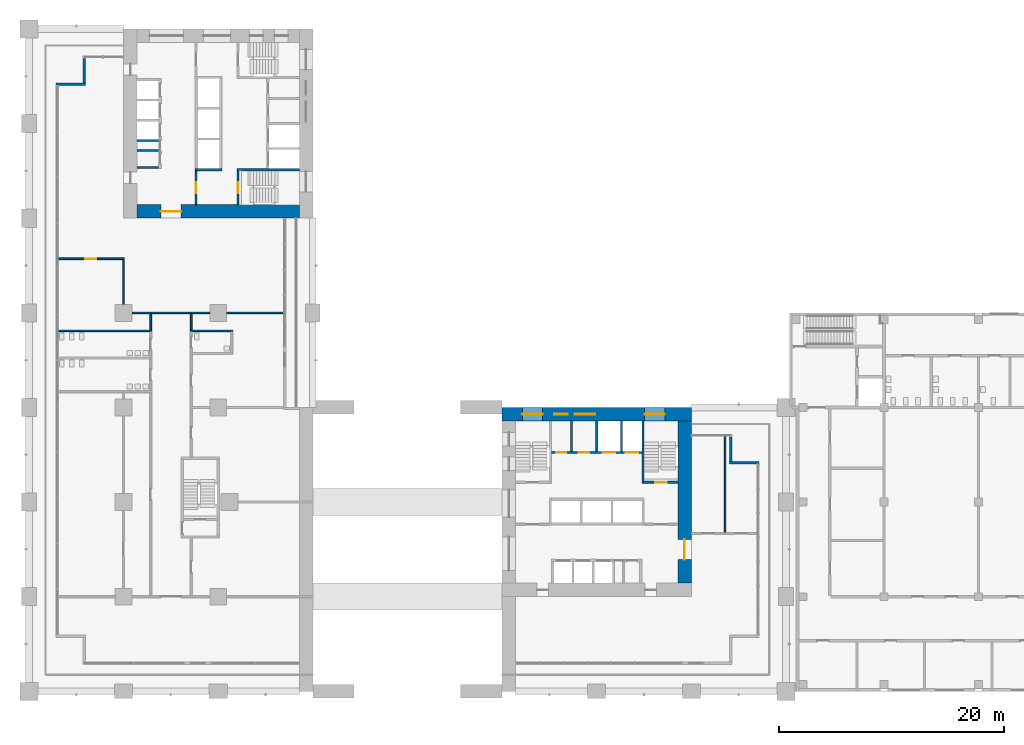
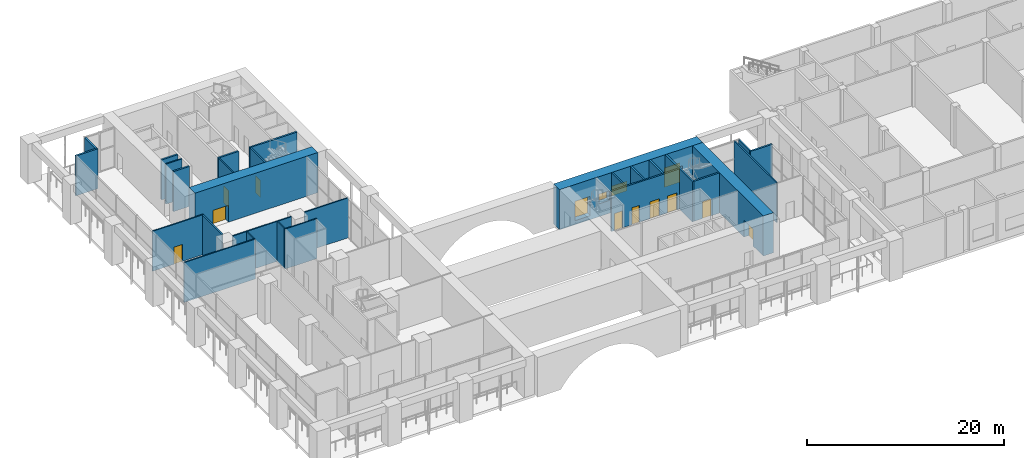
# One storey, part 12 of 26: 31 walls, 10 doors, 4 windows, 14 openings.
"""IFC4 building model written with IfcOpenShell, lengths in metres."""

from ifc_helpers import new_model, si_unit, direction, frame, frame_2d, origin, place, context, subcontext, project, spatial, rectangle, extrude, material, layer, layer_set, type_object, element, fill, save


model = new_model("IFC4")

# Units and contexts
model_context = context("Model", 3, precision=1e-05, world=origin(), true_north=direction((0.0, 1.0)))
body_context = subcontext(model_context, "Body", "Model", "MODEL_VIEW")
ifc_project = project(units=[si_unit("LENGTHUNIT", "METRE"), si_unit("AREAUNIT", "SQUARE_METRE"), si_unit("VOLUMEUNIT", "CUBIC_METRE"), si_unit("PLANEANGLEUNIT", "RADIAN"), si_unit("MASSUNIT", "GRAM", prefix="KILO")], contexts=[model_context])

# Site, building, storey
site_placement = place(None, origin())
site = spatial("IfcSite", under=ifc_project, at=site_placement, CompositionType="ELEMENT")
building_placement = place(site_placement, origin())
building = spatial("IfcBuilding", under=site, at=building_placement, Name="Vermilion Gate Residences", CompositionType="ELEMENT")
storey_placement = place(building_placement, frame((0.0, 0.0, 9.0)))
storey = spatial("IfcBuildingStorey", under=building, at=storey_placement, Name="L01", CompositionType="ELEMENT", Elevation=9.0)

# Walls
ifc_material_1 = material(Name="Masonry blockwork", Category="masonry")
ifc_layer_1 = layer(ifc_material_1, 0.14990234375)
ifc_layer_set_1 = layer_set([ifc_layer_1], Name="BLOCKWORK PARTITION 150 EI 120")
wall_type_1 = type_object("IfcWallType", Name="BLOCKWORK PARTITION 150 EI 120", PredefinedType="PARTITIONING", material=ifc_layer_set_1)
wall_1_placement = place(storey_placement, frame((48.16259765625, 21.300048828125, 0.0), z_axis=(0.0, 0.0, 1.0), x_axis=(0.0, 1.0, 0.0)))
element("IfcWall", 1, at=wall_1_placement, inside=storey, type_object=wall_type_1, Name="Core room partition A01-NR-P0", PredefinedType="PARTITIONING", context=body_context, shape_type="SweptSolid", body=[
    extrude(rectangle(XDim=2.699951171875, YDim=0.14990234375, at=frame_2d((1.35009765625, 0.0))), origin(), (0.0, 0.0, 1.0), 4.97998046875),
])
wall_2_placement = place(storey_placement, frame((9.60009765625, 48.007568359375, 0.0), z_axis=(0.0, 0.0, 1.0), x_axis=(1.0, 0.0, 0.0)))
element("IfcWall", 2, at=wall_2_placement, inside=storey, type_object=wall_type_1, Name="Core room partition B01-SR-P0", PredefinedType="PARTITIONING", context=body_context, shape_type="SweptSolid", body=[
    extrude(rectangle(XDim=1.89990234375, YDim=0.14990234375, at=frame_2d((0.949951171875, 0.0))), origin(), (0.0, 0.0, 1.0), 4.97998046875),
])

# Wall, opening, door
wall_3_placement = place(storey_placement, frame((14.824951171875, 46.199951171875, 0.0), z_axis=(0.0, 0.0, 1.0), x_axis=(0.0, -1.0, 0.0)))
wall_3 = element("IfcWall", 3, at=wall_3_placement, inside=storey, type_object=wall_type_1, Name="Core room partition B01-VE-S", PredefinedType="PARTITIONING", context=body_context, shape_type="SweptSolid", body=[
    extrude(rectangle(XDim=3.0, YDim=0.14990234375, at=frame_2d((1.5, 0.0))), origin(), (0.0, 0.0, 1.0), 4.97998046875),
])
opening_1_placement = place(wall_3_placement, frame((1.0, 0.0, 0.0)))
opening_1 = element("IfcOpeningElement", 4, at=opening_1_placement, cuts=wall_3, Name="Opening DK01115", PredefinedType="OPENING", context=body_context, shape_type="SweptSolid", body=[
    extrude(rectangle(XDim=1.0, YDim=2.10009765625, at=frame_2d((0.5, 1.050048828125))), frame((0.0, 0.0849609375, 0.0), z_axis=(0.0, -1.0, 0.0), x_axis=(1.0, 0.0, 0.0)), (0.0, 0.0, 1.0), 0.169921875),
])
ifc_material_2 = material(Name="Steel", Category="steel")
door_type_1 = type_object("IfcDoorType", Name="FIRE DOOR FD60 1000 X 2100", OperationType="SINGLE_SWING_LEFT", PredefinedType="DOOR", material=ifc_material_2)
door_1_placement = place(opening_1_placement, frame((1.0, 0.0, 0.0), z_axis=(0.0, 0.0, 1.0), x_axis=(-1.0, 0.0, 0.0)))
door_1 = element("IfcDoor", 5, at=door_1_placement, inside=storey, type_object=door_type_1, Name="Stair vestibule door B01", OperationType="SINGLE_SWING_LEFT", OverallHeight=2.10009765625, OverallWidth=1.0, PredefinedType="DOOR", context=body_context, shape_type="SweptSolid", body=[
    extrude(rectangle(XDim=1.0, YDim=2.10009765625, at=frame_2d((0.5, 1.050048828125))), frame((0.0, 0.02490234375, 0.0), z_axis=(0.0, -1.0, 0.0), x_axis=(1.0, 0.0, 0.0)), (0.0, 0.0, 1.0), 0.050048828125),
])
fill(opening_1, door_1)

# Walls
ifc_material_3 = material(Name="Insulated steel stud wall with terracotta rainscreen", Category="masonry")
ifc_layer_2 = layer(ifc_material_3, 0.199951171875)
ifc_layer_set_2 = layer_set([ifc_layer_2], Name="EXTERNAL WALL 200 TERRACOTTA RAINSCREEN")
wall_type_2 = type_object("IfcWallType", Name="EXTERNAL WALL 200 TERRACOTTA RAINSCREEN", PredefinedType="SOLIDWALL", material=ifc_layer_set_2)
wall_4_placement = place(storey_placement, frame((4.89990234375, 56.199951171875, 0.0), z_axis=(0.0, 0.0, 1.0), x_axis=(0.0, -1.0, 0.0)))
element("IfcWall", 6, at=wall_4_placement, inside=storey, type_object=wall_type_2, Name="External wall", PredefinedType="SOLIDWALL", context=body_context, shape_type="SweptSolid", body=[
    extrude(rectangle(XDim=2.199951171875, YDim=0.199951171875, at=frame_2d((1.10009765625, 0.0))), origin(), (0.0, 0.0, 1.0), 4.949951171875),
])
for number, where, z_axis, x_axis, name in (
    (7, (5.0, 53.89990234375, 0.0), (0.0, 0.0, 1.0), (-1.0, 0.0, 0.0), "External wall"),
    (8, (64.800048828125, 20.300048828125, 0.0), (0.0, 0.0, 1.0), (-1.0, 0.0, 0.0), "External wall"),
):
    element("IfcWall", number, at=place(storey_placement, frame(where, z_axis=z_axis, x_axis=x_axis)), inside=storey, type_object=wall_type_2, Name=name, PredefinedType="SOLIDWALL", context=body_context, shape_type="SweptSolid", body=[
        extrude(rectangle(XDim=2.60009765625, YDim=0.199951171875, at=frame_2d((1.300048828125, 0.0))), origin(), (0.0, 0.0, 1.0), 4.949951171875),
    ])
wall_5_placement = place(storey_placement, frame((62.300048828125, 20.39990234375, 0.0), z_axis=(0.0, 0.0, 1.0), x_axis=(0.0, 1.0, 0.0)))
element("IfcWall", 9, at=wall_5_placement, inside=storey, type_object=wall_type_2, Name="External wall", PredefinedType="SOLIDWALL", context=body_context, shape_type="SweptSolid", body=[
    extrude(rectangle(XDim=2.2001953125, YDim=0.199951171875, at=frame_2d((1.10009765625, 0.0))), origin(), (0.0, 0.0, 1.0), 4.949951171875),
])
ifc_material_4 = material(Name="Gypsum board on steel studs", Category="steel")
ifc_layer_3 = layer(ifc_material_4, 0.14990234375)
ifc_layer_set_3 = layer_set([ifc_layer_3], Name="PARTITION 150 EI 60 (AMENITY)")
wall_type_3 = type_object("IfcWallType", Name="PARTITION 150 EI 60 (AMENITY)", PredefinedType="PARTITIONING", material=ifc_layer_set_3)
wall_6_placement = place(storey_placement, frame((2.5, 32.0, 0.0), z_axis=(0.0, 0.0, 1.0), x_axis=(1.0, 0.0, 0.0)))
element("IfcWall", 10, at=wall_6_placement, inside=storey, type_object=wall_type_3, Name="Partition 4", PredefinedType="PARTITIONING", context=body_context, shape_type="SweptSolid", body=[
    extrude(rectangle(XDim=8.375, YDim=0.14990234375, at=frame_2d((4.1875, 0.0))), origin(), (0.0, 0.0, 1.0), 4.949951171875),
])

# Wall, opening, door
wall_7_placement = place(storey_placement, frame((2.5, 38.39990234375, 0.0), z_axis=(0.0, 0.0, 1.0), x_axis=(1.0, 0.0, 0.0)))
wall_7 = element("IfcWall", 11, at=wall_7_placement, inside=storey, type_object=wall_type_3, Name="Partition 5", PredefinedType="PARTITIONING", context=body_context, shape_type="SweptSolid", body=[
    extrude(rectangle(XDim=5.97509765625, YDim=0.14990234375, at=frame_2d((2.987548828125, 0.0))), origin(), (0.0, 0.0, 1.0), 4.949951171875),
])
opening_2_placement = place(wall_7_placement, frame((2.487548828125, 0.0, 0.0)))
opening_2 = element("IfcOpeningElement", 12, at=opening_2_placement, cuts=wall_7, Name="Opening DM01010", PredefinedType="OPENING", context=body_context, shape_type="SweptSolid", body=[
    extrude(rectangle(XDim=1.0, YDim=2.10009765625, at=frame_2d((0.5, 1.050048828125))), frame((0.0, 0.0849609375, 0.0), z_axis=(0.0, -1.0, 0.0), x_axis=(1.0, 0.0, 0.0)), (0.0, 0.0, 1.0), 0.169921875),
])
ifc_material_5 = material(Name="Steel", Category="steel")
door_type_2 = type_object("IfcDoorType", Name="DOOR 1000 X 2100 FD30 (AMENITY)", OperationType="SINGLE_SWING_LEFT", PredefinedType="DOOR", material=ifc_material_5)
door_2_placement = place(opening_2_placement, frame((1.0, 0.0, 0.0), z_axis=(0.0, 0.0, 1.0), x_axis=(-1.0, 0.0, 0.0)))
door_2 = element("IfcDoor", 13, at=door_2_placement, inside=storey, type_object=door_type_2, Name="Door L01 10", OperationType="SINGLE_SWING_LEFT", OverallHeight=2.10009765625, OverallWidth=1.0, PredefinedType="DOOR", context=body_context, shape_type="SweptSolid", body=[
    extrude(rectangle(XDim=1.0, YDim=2.10009765625, at=frame_2d((0.5, 1.050048828125))), frame((0.0, 0.02490234375, 0.0), z_axis=(0.0, -1.0, 0.0), x_axis=(1.0, 0.0, 0.0)), (0.0, 0.0, 1.0), 0.050048828125),
])
fill(opening_2, door_2)

# Walls
wall_8_placement = place(storey_placement, frame((8.39990234375, 34.35009765625, 0.0), z_axis=(0.0, 0.0, 1.0), x_axis=(0.0, 1.0, 0.0)))
element("IfcWall", 14, at=wall_8_placement, inside=storey, type_object=wall_type_3, Name="Partition 11", PredefinedType="PARTITIONING", context=body_context, shape_type="SweptSolid", body=[
    extrude(rectangle(XDim=3.974853515625, YDim=0.14990234375, at=frame_2d((1.9873046875, 0.0))), origin(), (0.0, 0.0, 1.0), 4.949951171875),
])
wall_9_placement = place(storey_placement, frame((9.14990234375, 33.60009765625, 0.0), z_axis=(0.0, 0.0, 1.0), x_axis=(1.0, 0.0, 0.0)))
element("IfcWall", 15, at=wall_9_placement, inside=storey, type_object=wall_type_3, Name="Partition 12", PredefinedType="PARTITIONING", context=body_context, shape_type="SweptSolid", body=[
    extrude(rectangle(XDim=1.650146484375, YDim=0.14990234375, at=frame_2d((0.8251953125, 0.0))), origin(), (0.0, 0.0, 1.0), 4.949951171875),
])
wall_10_placement = place(storey_placement, frame((10.800048828125, 32.074951171875, 0.0), z_axis=(0.0, 0.0, 1.0), x_axis=(0.0, 1.0, 0.0)))
element("IfcWall", 16, at=wall_10_placement, inside=storey, type_object=wall_type_3, Name="Partition 17", PredefinedType="PARTITIONING", context=body_context, shape_type="SweptSolid", body=[
    extrude(rectangle(XDim=1.449951171875, YDim=0.14990234375, at=frame_2d((0.72509765625, 0.0))), origin(), (0.0, 0.0, 1.0), 4.949951171875),
])
wall_11_placement = place(storey_placement, frame((10.800048828125, 33.60009765625, 0.0), z_axis=(0.0, 0.0, 1.0), x_axis=(1.0, 0.0, 0.0)))
element("IfcWall", 17, at=wall_11_placement, inside=storey, type_object=wall_type_3, Name="Partition 18", PredefinedType="PARTITIONING", context=body_context, shape_type="SweptSolid", body=[
    extrude(rectangle(XDim=3.599853515625, YDim=0.14990234375, at=frame_2d((1.7998046875, 0.0))), origin(), (0.0, 0.0, 1.0), 4.949951171875),
])
wall_12_placement = place(storey_placement, frame((14.39990234375, 32.074951171875, 0.0), z_axis=(0.0, 0.0, 1.0), x_axis=(0.0, 1.0, 0.0)))
element("IfcWall", 18, at=wall_12_placement, inside=storey, type_object=wall_type_3, Name="Partition 28", PredefinedType="PARTITIONING", context=body_context, shape_type="SweptSolid", body=[
    extrude(rectangle(XDim=1.449951171875, YDim=0.14990234375, at=frame_2d((0.72509765625, 0.0))), origin(), (0.0, 0.0, 1.0), 4.949951171875),
])
wall_13_placement = place(storey_placement, frame((14.324951171875, 32.0, 0.0), z_axis=(0.0, 0.0, 1.0), x_axis=(1.0, 0.0, 0.0)))
element("IfcWall", 19, at=wall_13_placement, inside=storey, type_object=wall_type_3, Name="Partition 29", PredefinedType="PARTITIONING", context=body_context, shape_type="SweptSolid", body=[
    extrude(rectangle(XDim=3.75, YDim=0.14990234375, at=frame_2d((1.875, 0.0))), origin(), (0.0, 0.0, 1.0), 4.949951171875),
])
wall_14_placement = place(storey_placement, frame((14.39990234375, 33.60009765625, 0.0), z_axis=(0.0, 0.0, 1.0), x_axis=(1.0, 0.0, 0.0)))
element("IfcWall", 20, at=wall_14_placement, inside=storey, type_object=wall_type_3, Name="Partition 30", PredefinedType="PARTITIONING", context=body_context, shape_type="SweptSolid", body=[
    extrude(rectangle(XDim=1.650146484375, YDim=0.14990234375, at=frame_2d((0.8251953125, 0.0))), origin(), (0.0, 0.0, 1.0), 4.949951171875),
])
wall_15_placement = place(storey_placement, frame((17.550048828125, 33.60009765625, 0.0), z_axis=(0.0, 0.0, 1.0), x_axis=(1.0, 0.0, 0.0)))
element("IfcWall", 21, at=wall_15_placement, inside=storey, type_object=wall_type_3, Name="Partition 31", PredefinedType="PARTITIONING", context=body_context, shape_type="SweptSolid", body=[
    extrude(rectangle(XDim=5.14990234375, YDim=0.14990234375, at=frame_2d((2.574951171875, 0.0))), origin(), (0.0, 0.0, 1.0), 4.949951171875),
])
wall_16_placement = place(storey_placement, frame((61.800048828125, 14.074951171875, 0.0), z_axis=(0.0, 0.0, 1.0), x_axis=(0.0, 1.0, 0.0)))
element("IfcWall", 22, at=wall_16_placement, inside=storey, type_object=wall_type_3, Name="Partition 35", PredefinedType="PARTITIONING", context=body_context, shape_type="SweptSolid", body=[
    extrude(rectangle(XDim=8.625, YDim=0.14990234375, at=frame_2d((4.3125, 0.0))), origin(), (0.0, 0.0, 1.0), 4.949951171875),
])
ifc_material_6 = material(Name="Concrete C60", Category="concrete")
ifc_layer_4 = layer(ifc_material_6, 0.199951171875)
ifc_layer_set_4 = layer_set([ifc_layer_4], Name="RC CORE INTERNAL WALL 200 C60")
wall_type_4 = type_object("IfcWallType", Name="RC CORE INTERNAL WALL 200 C60", PredefinedType="SHEAR", material=ifc_layer_set_4)
for number, where, z_axis, x_axis, name in (
    (23, (50.39990234375, 21.300048828125, 0.0), (0.0, 0.0, 1.0), (0.0, 1.0, 0.0), "Core internal wall A01-FF-D0"),
    (24, (52.60009765625, 21.300048828125, 0.0), (0.0, 0.0, 1.0), (0.0, 1.0, 0.0), "Core internal wall A01-FF-D1"),
):
    element("IfcWall", number, at=place(storey_placement, frame(where, z_axis=z_axis, x_axis=x_axis)), inside=storey, type_object=wall_type_4, Name=name, PredefinedType="SHEAR", context=body_context, shape_type="SweptSolid", body=[
        extrude(rectangle(XDim=2.699951171875, YDim=0.199951171875, at=frame_2d((1.35009765625, 0.0))), origin(), (0.0, 0.0, 1.0), 4.97998046875),
    ])

# Wall, openings, doors
wall_17_placement = place(storey_placement, frame((46.39990234375, 21.199951171875, 0.0), z_axis=(0.0, 0.0, 1.0), x_axis=(1.0, 0.0, 0.0)))
wall_17 = element("IfcWall", 25, at=wall_17_placement, inside=storey, type_object=wall_type_4, Name="Core internal wall A01-FF-F", PredefinedType="SHEAR", context=body_context, shape_type="SweptSolid", body=[
    extrude(rectangle(XDim=8.0, YDim=0.199951171875, at=frame_2d((4.0, 0.0))), origin(), (0.0, 0.0, 1.0), 4.97998046875),
])
opening_3_placement = place(wall_17_placement, frame((0.393798828125, 0.0, 0.0)))
opening_3 = element("IfcOpeningElement", 26, at=opening_3_placement, cuts=wall_17, Name="Opening DK01009", PredefinedType="OPENING", context=body_context, shape_type="SweptSolid", body=[
    extrude(rectangle(XDim=0.89990234375, YDim=2.10009765625, at=frame_2d((0.449951171875, 1.050048828125))), frame((0.0, 0.10986328125, 0.0), z_axis=(0.0, -1.0, 0.0), x_axis=(1.0, 0.0, 0.0)), (0.0, 0.0, 1.0), 0.219970703125),
])
opening_4_placement = place(wall_17_placement, frame((2.418701171875, 0.0, 0.0)))
opening_4 = element("IfcOpeningElement", 27, at=opening_4_placement, cuts=wall_17, Name="Opening DK01010", PredefinedType="OPENING", context=body_context, shape_type="SweptSolid", body=[
    extrude(rectangle(XDim=0.89990234375, YDim=2.10009765625, at=frame_2d((0.449951171875, 1.050048828125))), frame((0.0, 0.10986328125, 0.0), z_axis=(0.0, -1.0, 0.0), x_axis=(1.0, 0.0, 0.0)), (0.0, 0.0, 1.0), 0.219970703125),
])
opening_5_placement = place(wall_17_placement, frame((4.550048828125, 0.0, 0.0)))
opening_5 = element("IfcOpeningElement", 28, at=opening_5_placement, cuts=wall_17, Name="Opening LD", PredefinedType="OPENING", context=body_context, shape_type="SweptSolid", body=[
    extrude(rectangle(XDim=1.10009765625, YDim=2.10009765625, at=frame_2d((0.550048828125, 1.050048828125))), frame((0.0, 0.10986328125, 0.0), z_axis=(0.0, -1.0, 0.0), x_axis=(1.0, 0.0, 0.0)), (0.0, 0.0, 1.0), 0.219970703125),
])
opening_6_placement = place(wall_17_placement, frame((6.60009765625, 0.0, 0.0)))
opening_6 = element("IfcOpeningElement", 29, at=opening_6_placement, cuts=wall_17, Name="Opening LD", PredefinedType="OPENING", context=body_context, shape_type="SweptSolid", body=[
    extrude(rectangle(XDim=1.10009765625, YDim=2.10009765625, at=frame_2d((0.550048828125, 1.050048828125))), frame((0.0, 0.10986328125, 0.0), z_axis=(0.0, -1.0, 0.0), x_axis=(1.0, 0.0, 0.0)), (0.0, 0.0, 1.0), 0.219970703125),
])
ifc_material_7 = material(Name="Stainless steel", Category="steel")
door_type_3 = type_object("IfcDoorType", Name="LIFT LANDING DOOR E60 1100 X 2100", OperationType="DOUBLE_DOOR_SLIDING", PredefinedType="DOOR", material=ifc_material_7)
door_3_placement = place(opening_5_placement, origin())
door_3 = element("IfcDoor", 30, at=door_3_placement, inside=storey, type_object=door_type_3, Name="Lift landing door LFA1", OperationType="DOUBLE_DOOR_SLIDING", OverallHeight=2.10009765625, OverallWidth=1.10009765625, PredefinedType="DOOR", context=body_context, shape_type="SweptSolid", body=[
    extrude(rectangle(XDim=1.10009765625, YDim=2.10009765625, at=frame_2d((0.550048828125, 1.050048828125))), frame((0.0, 0.02490234375, 0.0), z_axis=(0.0, -1.0, 0.0), x_axis=(1.0, 0.0, 0.0)), (0.0, 0.0, 1.0), 0.050048828125),
])
fill(opening_5, door_3)
door_4_placement = place(opening_6_placement, origin())
door_4 = element("IfcDoor", 31, at=door_4_placement, inside=storey, type_object=door_type_3, Name="Lift landing door LCA1", OperationType="DOUBLE_DOOR_SLIDING", OverallHeight=2.10009765625, OverallWidth=1.10009765625, PredefinedType="DOOR", context=body_context, shape_type="SweptSolid", body=[
    extrude(rectangle(XDim=1.10009765625, YDim=2.10009765625, at=frame_2d((0.550048828125, 1.050048828125))), frame((0.0, 0.02490234375, 0.0), z_axis=(0.0, -1.0, 0.0), x_axis=(1.0, 0.0, 0.0)), (0.0, 0.0, 1.0), 0.050048828125),
])
fill(opening_6, door_4)
ifc_material_8 = material(Name="Steel", Category="steel")
door_type_4 = type_object("IfcDoorType", Name="SERVICE ROOM DOOR FD60 900 X 2100", OperationType="SINGLE_SWING_LEFT", PredefinedType="DOOR", material=ifc_material_8)
door_5_placement = place(opening_3_placement, origin())
door_5 = element("IfcDoor", 32, at=door_5_placement, inside=storey, type_object=door_type_4, Name="Parcel room A01", OperationType="SINGLE_SWING_LEFT", OverallHeight=2.10009765625, OverallWidth=0.89990234375, PredefinedType="DOOR", context=body_context, shape_type="SweptSolid", body=[
    extrude(rectangle(XDim=0.89990234375, YDim=2.10009765625, at=frame_2d((0.449951171875, 1.050048828125))), frame((0.0, 0.02490234375, 0.0), z_axis=(0.0, -1.0, 0.0), x_axis=(1.0, 0.0, 0.0)), (0.0, 0.0, 1.0), 0.050048828125),
])
fill(opening_3, door_5)
door_6_placement = place(opening_4_placement, frame((0.89990234375, 0.0, 0.0), z_axis=(0.0, 0.0, 1.0), x_axis=(-1.0, 0.0, 0.0)))
door_6 = element("IfcDoor", 33, at=door_6_placement, inside=storey, type_object=door_type_4, Name="Electrical room A01", OperationType="SINGLE_SWING_RIGHT", OverallHeight=2.10009765625, OverallWidth=0.89990234375, PredefinedType="DOOR", context=body_context, shape_type="SweptSolid", body=[
    extrude(rectangle(XDim=0.89990234375, YDim=2.10009765625, at=frame_2d((0.449951171875, 1.050048828125))), frame((0.0, 0.02490234375, 0.0), z_axis=(0.0, -1.0, 0.0), x_axis=(1.0, 0.0, 0.0)), (0.0, 0.0, 1.0), 0.050048828125),
])
fill(opening_4, door_6)

# Wall
wall_18_placement = place(storey_placement, frame((54.5, 18.449951171875, 0.0), z_axis=(0.0, 0.0, 1.0), x_axis=(0.0, 1.0, 0.0)))
element("IfcWall", 34, at=wall_18_placement, inside=storey, type_object=wall_type_4, Name="Core internal wall A01-EDIV2", PredefinedType="SHEAR", context=body_context, shape_type="SweptSolid", body=[
    extrude(rectangle(XDim=5.550048828125, YDim=0.199951171875, at=frame_2d((2.77490234375, 0.0))), origin(), (0.0, 0.0, 1.0), 4.97998046875),
])

# Wall, opening, door
wall_19_placement = place(storey_placement, frame((54.60009765625, 18.550048828125, 0.0), z_axis=(0.0, 0.0, 1.0), x_axis=(1.0, 0.0, 0.0)))
wall_19 = element("IfcWall", 35, at=wall_19_placement, inside=storey, type_object=wall_type_4, Name="Core internal wall A01-STE-S", PredefinedType="SHEAR", context=body_context, shape_type="SweptSolid", body=[
    extrude(rectangle(XDim=3.0, YDim=0.199951171875, at=frame_2d((1.5, 0.0))), origin(), (0.0, 0.0, 1.0), 4.97998046875),
])
opening_7_placement = place(wall_19_placement, frame((1.0, 0.0, 0.0)))
opening_7 = element("IfcOpeningElement", 36, at=opening_7_placement, cuts=wall_19, Name="Opening DK01016", PredefinedType="OPENING", context=body_context, shape_type="SweptSolid", body=[
    extrude(rectangle(XDim=1.0, YDim=2.10009765625, at=frame_2d((0.5, 1.050048828125))), frame((0.0, 0.10986328125, 0.0), z_axis=(0.0, -1.0, 0.0), x_axis=(1.0, 0.0, 0.0)), (0.0, 0.0, 1.0), 0.219970703125),
])
door_7_placement = place(opening_7_placement, origin())
door_7 = element("IfcDoor", 37, at=door_7_placement, inside=storey, type_object=door_type_1, Name="Stair door A01", OperationType="SINGLE_SWING_LEFT", OverallHeight=2.10009765625, OverallWidth=1.0, PredefinedType="DOOR", context=body_context, shape_type="SweptSolid", body=[
    extrude(rectangle(XDim=1.0, YDim=2.10009765625, at=frame_2d((0.5, 1.050048828125))), frame((0.0, 0.02490234375, 0.0), z_axis=(0.0, -1.0, 0.0), x_axis=(1.0, 0.0, 0.0)), (0.0, 0.0, 1.0), 0.050048828125),
])
fill(opening_7, door_7)

# Walls
for number, where, z_axis, x_axis, name in (
    (38, (9.60009765625, 48.89990234375, 0.0), (0.0, 0.0, 1.0), (1.0, 0.0, 0.0), "Core internal wall B01-LR-D3"),
    (39, (9.60009765625, 46.5, 0.0), (0.0, 0.0, 1.0), (1.0, 0.0, 0.0), "Core internal wall B01-LR-DE"),
):
    element("IfcWall", number, at=place(storey_placement, frame(where, z_axis=z_axis, x_axis=x_axis)), inside=storey, type_object=wall_type_4, Name=name, PredefinedType="SHEAR", context=body_context, shape_type="SweptSolid", body=[
        extrude(rectangle(XDim=1.89990234375, YDim=0.199951171875, at=frame_2d((0.949951171875, 0.0))), origin(), (0.0, 0.0, 1.0), 4.97998046875),
    ])
wall_20_placement = place(storey_placement, frame((14.75, 46.300048828125, 0.0), z_axis=(0.0, 0.0, 1.0), x_axis=(1.0, 0.0, 0.0)))
element("IfcWall", 40, at=wall_20_placement, inside=storey, type_object=wall_type_4, Name="Core internal wall B01-EDIV1", PredefinedType="SHEAR", context=body_context, shape_type="SweptSolid", body=[
    extrude(rectangle(XDim=2.39990234375, YDim=0.199951171875, at=frame_2d((1.199951171875, 0.0))), origin(), (0.0, 0.0, 1.0), 4.97998046875),
])
wall_21_placement = place(storey_placement, frame((18.449951171875, 46.300048828125, 0.0), z_axis=(0.0, 0.0, 1.0), x_axis=(1.0, 0.0, 0.0)))
element("IfcWall", 41, at=wall_21_placement, inside=storey, type_object=wall_type_4, Name="Core internal wall B01-EDIV2", PredefinedType="SHEAR", context=body_context, shape_type="SweptSolid", body=[
    extrude(rectangle(XDim=5.550048828125, YDim=0.199951171875, at=frame_2d((2.77490234375, 0.0))), origin(), (0.0, 0.0, 1.0), 4.97998046875),
])

# Wall, opening, door
wall_22_placement = place(storey_placement, frame((18.550048828125, 46.199951171875, 0.0), z_axis=(0.0, 0.0, 1.0), x_axis=(0.0, -1.0, 0.0)))
wall_22 = element("IfcWall", 42, at=wall_22_placement, inside=storey, type_object=wall_type_4, Name="Core internal wall B01-STE-S", PredefinedType="SHEAR", context=body_context, shape_type="SweptSolid", body=[
    extrude(rectangle(XDim=3.0, YDim=0.199951171875, at=frame_2d((1.5, 0.0))), origin(), (0.0, 0.0, 1.0), 4.97998046875),
])
opening_8_placement = place(wall_22_placement, frame((1.0, 0.0, 0.0)))
opening_8 = element("IfcOpeningElement", 43, at=opening_8_placement, cuts=wall_22, Name="Opening DK01116", PredefinedType="OPENING", context=body_context, shape_type="SweptSolid", body=[
    extrude(rectangle(XDim=1.0, YDim=2.10009765625, at=frame_2d((0.5, 1.050048828125))), frame((0.0, 0.10986328125, 0.0), z_axis=(0.0, -1.0, 0.0), x_axis=(1.0, 0.0, 0.0)), (0.0, 0.0, 1.0), 0.219970703125),
])
door_8_placement = place(opening_8_placement, origin())
door_8 = element("IfcDoor", 44, at=door_8_placement, inside=storey, type_object=door_type_1, Name="Stair door B01", OperationType="SINGLE_SWING_LEFT", OverallHeight=2.10009765625, OverallWidth=1.0, PredefinedType="DOOR", context=body_context, shape_type="SweptSolid", body=[
    extrude(rectangle(XDim=1.0, YDim=2.10009765625, at=frame_2d((0.5, 1.050048828125))), frame((0.0, 0.02490234375, 0.0), z_axis=(0.0, -1.0, 0.0), x_axis=(1.0, 0.0, 0.0)), (0.0, 0.0, 1.0), 0.050048828125),
])
fill(opening_8, door_8)

ifc_material_9 = material(Name="Concrete C80", Category="concrete")
ifc_layer_5 = layer(ifc_material_9, 1.199951171875)
ifc_layer_set_5 = layer_set([ifc_layer_5], Name="RC CORE WALL 1200 C80")
wall_type_5 = type_object("IfcWallType", Name="RC CORE WALL 1200 C80", PredefinedType="SHEAR", material=ifc_layer_set_5)
wall_23_placement = place(storey_placement, frame((58.199951171875, 9.60009765625, 0.0), z_axis=(0.0, 0.0, 1.0), x_axis=(0.0, 1.0, 0.0)))
wall_23 = element("IfcWall", 45, at=wall_23_placement, inside=storey, type_object=wall_type_5, Name="Core wall A01-OUT-BK", PredefinedType="SHEAR", context=body_context, shape_type="SweptSolid", body=[
    extrude(rectangle(XDim=14.39990234375, YDim=1.199951171875, at=frame_2d((7.199951171875, 0.0))), origin(), (0.0, 0.0, 1.0), 4.97998046875),
])
opening_9_placement = place(wall_23_placement, frame((2.10009765625, 0.0, 0.0)))
opening_9 = element("IfcOpeningElement", 46, at=opening_9_placement, cuts=wall_23, Name="Opening DK01003", PredefinedType="OPENING", context=body_context, shape_type="SweptSolid", body=[
    extrude(rectangle(XDim=1.800048828125, YDim=2.10009765625, at=frame_2d((0.89990234375, 1.050048828125))), frame((0.0, 0.60986328125, 0.0), z_axis=(0.0, -1.0, 0.0), x_axis=(1.0, 0.0, 0.0)), (0.0, 0.0, 1.0), 1.219970703125),
])
ifc_material_10 = material(Name="Steel", Category="steel")
door_type_5 = type_object("IfcDoorType", Name="CORE LOBBY DOOR FD60 1800 X 2100", OperationType="DOUBLE_DOOR_SINGLE_SWING", PredefinedType="DOOR", material=ifc_material_10)
door_9_placement = place(opening_9_placement, origin())
door_9 = element("IfcDoor", 47, at=door_9_placement, inside=storey, type_object=door_type_5, Name="Core lobby door A01", OperationType="DOUBLE_DOOR_SINGLE_SWING", OverallHeight=2.10009765625, OverallWidth=1.800048828125, PredefinedType="DOOR", context=body_context, shape_type="SweptSolid", body=[
    extrude(rectangle(XDim=1.800048828125, YDim=2.10009765625, at=frame_2d((0.89990234375, 1.050048828125))), frame((0.0, 0.02490234375, 0.0), z_axis=(0.0, -1.0, 0.0), x_axis=(1.0, 0.0, 0.0)), (0.0, 0.0, 1.0), 0.050048828125),
])
fill(opening_9, door_9)

wall_24_placement = place(storey_placement, frame((9.60009765625, 42.60009765625, 0.0), z_axis=(0.0, 0.0, 1.0), x_axis=(1.0, 0.0, 0.0)))
wall_24 = element("IfcWall", 48, at=wall_24_placement, inside=storey, type_object=wall_type_5, Name="Core wall B01-OUT-BK", PredefinedType="SHEAR", context=body_context, shape_type="SweptSolid", body=[
    extrude(rectangle(XDim=14.39990234375, YDim=1.199951171875, at=frame_2d((7.199951171875, 0.0))), origin(), (0.0, 0.0, 1.0), 4.97998046875),
])
opening_10_placement = place(wall_24_placement, frame((2.10009765625, 0.0, 0.0)))
opening_10 = element("IfcOpeningElement", 49, at=opening_10_placement, cuts=wall_24, Name="Opening DK01103", PredefinedType="OPENING", context=body_context, shape_type="SweptSolid", body=[
    extrude(rectangle(XDim=1.800048828125, YDim=2.10009765625, at=frame_2d((0.89990234375, 1.050048828125))), frame((0.0, 0.60986328125, 0.0), z_axis=(0.0, -1.0, 0.0), x_axis=(1.0, 0.0, 0.0)), (0.0, 0.0, 1.0), 1.219970703125),
])
door_10_placement = place(opening_10_placement, frame((1.800048828125, 0.0, 0.0), z_axis=(0.0, 0.0, 1.0), x_axis=(-1.0, 0.0, 0.0)))
door_10 = element("IfcDoor", 50, at=door_10_placement, inside=storey, type_object=door_type_5, Name="Core lobby door B01", OperationType="DOUBLE_DOOR_SINGLE_SWING", OverallHeight=2.10009765625, OverallWidth=1.800048828125, PredefinedType="DOOR", context=body_context, shape_type="SweptSolid", body=[
    extrude(rectangle(XDim=1.800048828125, YDim=2.10009765625, at=frame_2d((0.89990234375, 1.050048828125))), frame((0.0, 0.02490234375, 0.0), z_axis=(0.0, -1.0, 0.0), x_axis=(1.0, 0.0, 0.0)), (0.0, 0.0, 1.0), 0.050048828125),
])
fill(opening_10, door_10)

# Wall, openings, windows
ifc_material_11 = material(Name="Concrete C80 red-oxide pigmented", Category="concrete")
ifc_layer_6 = layer(ifc_material_11, 1.199951171875)
ifc_layer_set_6 = layer_set([ifc_layer_6], Name="RC CORE WALL 1200 C80 RED OXIDE")
wall_type_6 = type_object("IfcWallType", Name="RC CORE WALL 1200 C80 RED OXIDE", PredefinedType="SHEAR", material=ifc_layer_set_6)
wall_25_placement = place(storey_placement, frame((42.0, 24.60009765625, 0.0), z_axis=(0.0, 0.0, 1.0), x_axis=(1.0, 0.0, 0.0)))
wall_25 = element("IfcWall", 51, at=wall_25_placement, inside=storey, type_object=wall_type_6, Name="Core wall A01-OUT-B1", PredefinedType="SHEAR", context=body_context, shape_type="SweptSolid", body=[
    extrude(rectangle(XDim=16.800048828125, YDim=1.199951171875, at=frame_2d((8.39990234375, 0.0))), origin(), (0.0, 0.0, 1.0), 4.97998046875),
])
opening_11_placement = place(wall_25_placement, frame((1.800048828125, 0.0, 0.5)))
opening_11 = element("IfcOpeningElement", 52, at=opening_11_placement, cuts=wall_25, Name="Opening WKA0101", PredefinedType="OPENING", context=body_context, shape_type="SweptSolid", body=[
    extrude(rectangle(XDim=1.800048828125, YDim=2.39990234375, at=frame_2d((0.89990234375, 1.199951171875))), frame((0.0, 0.60986328125, 0.0), z_axis=(0.0, -1.0, 0.0), x_axis=(1.0, 0.0, 0.0)), (0.0, 0.0, 1.0), 1.219970703125),
])
opening_12_placement = place(wall_25_placement, frame((4.643798828125, 0.0, 1.60009765625)))
opening_12 = element("IfcOpeningElement", 53, at=opening_12_placement, cuts=wall_25, Name="Opening WKA0102", PredefinedType="OPENING", context=body_context, shape_type="SweptSolid", body=[
    extrude(rectangle(XDim=1.199951171875, YDim=1.199951171875, at=frame_2d((0.60009765625, 0.60009765625))), frame((0.0, 0.60986328125, 0.0), z_axis=(0.0, -1.0, 0.0), x_axis=(1.0, 0.0, 0.0)), (0.0, 0.0, 1.0), 1.219970703125),
])
opening_13_placement = place(wall_25_placement, frame((6.449951171875, 0.0, 1.60009765625)))
opening_13 = element("IfcOpeningElement", 54, at=opening_13_placement, cuts=wall_25, Name="Opening WKA0103", PredefinedType="OPENING", context=body_context, shape_type="SweptSolid", body=[
    extrude(rectangle(XDim=1.800048828125, YDim=1.199951171875, at=frame_2d((0.89990234375, 0.60009765625))), frame((0.0, 0.60986328125, 0.0), z_axis=(0.0, -1.0, 0.0), x_axis=(1.0, 0.0, 0.0)), (0.0, 0.0, 1.0), 1.219970703125),
])
opening_14_placement = place(wall_25_placement, frame((12.64990234375, 0.0, 0.5)))
opening_14 = element("IfcOpeningElement", 55, at=opening_14_placement, cuts=wall_25, Name="Opening WKA0104", PredefinedType="OPENING", context=body_context, shape_type="SweptSolid", body=[
    extrude(rectangle(XDim=1.800048828125, YDim=2.39990234375, at=frame_2d((0.89990234375, 1.199951171875))), frame((0.0, 0.60986328125, 0.0), z_axis=(0.0, -1.0, 0.0), x_axis=(1.0, 0.0, 0.0)), (0.0, 0.0, 1.0), 1.219970703125),
])
ifc_material_12 = material(Name="Aluminium frame with louvre blades", Category="aluminium")
window_type_1 = type_object("IfcWindowType", Name="CORE LOUVRE 1200 X 1200", PartitioningType="SINGLE_PANEL", PredefinedType="WINDOW", material=ifc_material_12)
window_1_placement = place(opening_12_placement, origin())
window_1 = element("IfcWindow", 56, at=window_1_placement, inside=storey, type_object=window_type_1, Name="Core louvre", OverallHeight=1.199951171875, OverallWidth=1.199951171875, PartitioningType="SINGLE_PANEL", PredefinedType="WINDOW", context=body_context, shape_type="SweptSolid", body=[
    extrude(rectangle(XDim=1.199951171875, YDim=1.199951171875, at=frame_2d((0.60009765625, 0.60009765625))), frame((0.0, 0.030029296875, 0.0), z_axis=(0.0, -1.0, 0.0), x_axis=(1.0, 0.0, 0.0)), (0.0, 0.0, 1.0), 0.06005859375),
])
fill(opening_12, window_1)
ifc_material_13 = material(Name="Aluminium frame with louvre blades", Category="aluminium")
window_type_2 = type_object("IfcWindowType", Name="CORE LOUVRE 1800 X 1200", PartitioningType="SINGLE_PANEL", PredefinedType="WINDOW", material=ifc_material_13)
window_2_placement = place(opening_13_placement, origin())
window_2 = element("IfcWindow", 57, at=window_2_placement, inside=storey, type_object=window_type_2, Name="Core louvre", OverallHeight=1.199951171875, OverallWidth=1.800048828125, PartitioningType="SINGLE_PANEL", PredefinedType="WINDOW", context=body_context, shape_type="SweptSolid", body=[
    extrude(rectangle(XDim=1.800048828125, YDim=1.199951171875, at=frame_2d((0.89990234375, 0.60009765625))), frame((0.0, 0.030029296875, 0.0), z_axis=(0.0, -1.0, 0.0), x_axis=(1.0, 0.0, 0.0)), (0.0, 0.0, 1.0), 0.06005859375),
])
fill(opening_13, window_2)
ifc_material_14 = material(Name="Aluminium and clear glass", Category="aluminium")
window_type_3 = type_object("IfcWindowType", Name="CORE STAIR WINDOW 1800 X 2400", PartitioningType="SINGLE_PANEL", PredefinedType="WINDOW", material=ifc_material_14)
window_3_placement = place(opening_11_placement, origin())
window_3 = element("IfcWindow", 58, at=window_3_placement, inside=storey, type_object=window_type_3, Name="Core stair window", OverallHeight=2.39990234375, OverallWidth=1.800048828125, PartitioningType="SINGLE_PANEL", PredefinedType="WINDOW", context=body_context, shape_type="SweptSolid", body=[
    extrude(rectangle(XDim=1.800048828125, YDim=2.39990234375, at=frame_2d((0.89990234375, 1.199951171875))), frame((0.0, 0.030029296875, 0.0), z_axis=(0.0, -1.0, 0.0), x_axis=(1.0, 0.0, 0.0)), (0.0, 0.0, 1.0), 0.06005859375),
])
fill(opening_11, window_3)
window_4_placement = place(opening_14_placement, origin())
window_4 = element("IfcWindow", 59, at=window_4_placement, inside=storey, type_object=window_type_3, Name="Core stair window", OverallHeight=2.39990234375, OverallWidth=1.800048828125, PartitioningType="SINGLE_PANEL", PredefinedType="WINDOW", context=body_context, shape_type="SweptSolid", body=[
    extrude(rectangle(XDim=1.800048828125, YDim=2.39990234375, at=frame_2d((0.89990234375, 1.199951171875))), frame((0.0, 0.030029296875, 0.0), z_axis=(0.0, -1.0, 0.0), x_axis=(1.0, 0.0, 0.0)), (0.0, 0.0, 1.0), 0.06005859375),
])
fill(opening_14, window_4)

save(model, "model.ifc")
